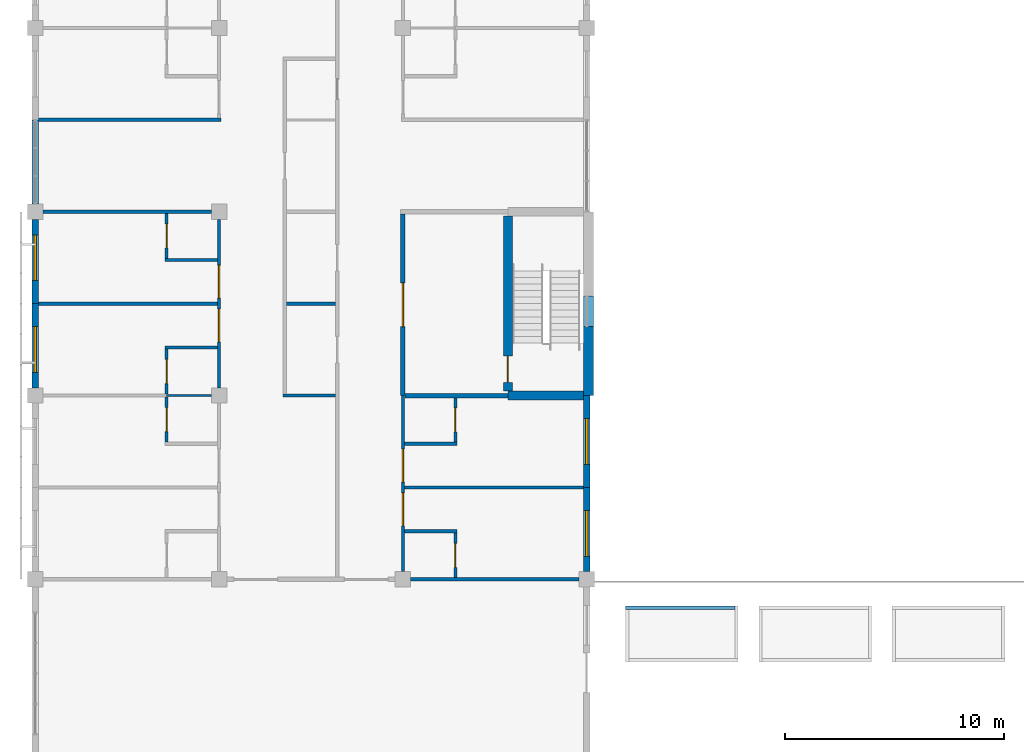
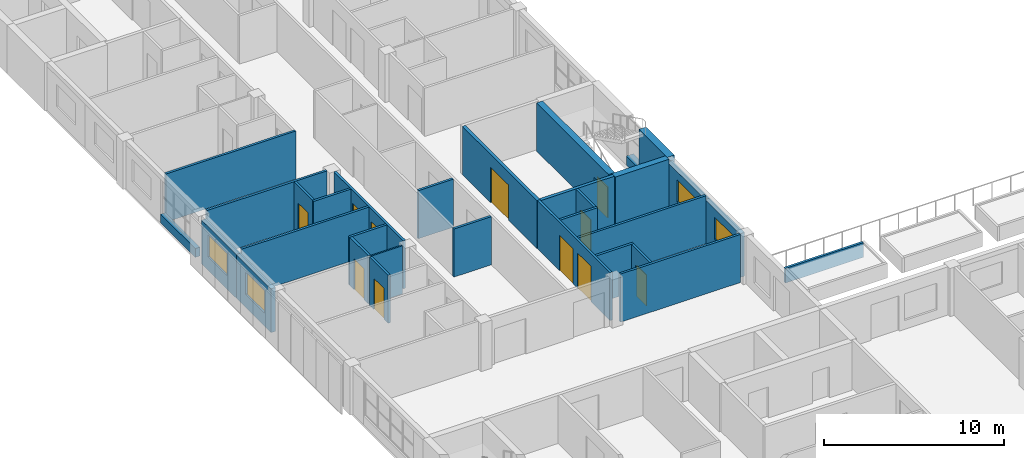
# One storey, part 31 of 61: 31 walls, 11 doors, 4 windows, 15 openings.
"""IFC4 building model written with IfcOpenShell, lengths in metres."""

import ifcopenshell
import ifcopenshell.guid

model = None  # the IFC model being written
_history = None  # IfcOwnerHistory: only IFC2X3 demands one
_inside = {}  # id of a spatial element -> (the spatial element, [elements in it])
_under = {}  # id of a project, library or spatial element -> (it, [spatial elements below it])
_declared = {}  # id of a project -> (the project, [libraries it declares])
_typed = {}  # id of a type object -> (the type object, [elements of that type])
_made_of = {}  # id of a material, layer set ... -> (it, [elements and type objects made of it])


def new_model(schema):
    """Start an empty IFC model of exactly this schema.

    Asked for "IFC4X3", IfcOpenShell would pick the latest addendum, in which some entities
    have other attributes; the version numbers below select the first issue.
    IFC2X3 requires an IfcOwnerHistory on every rooted entity: one is made here for all.
    """
    global model, _history
    if schema == "IFC4X3":
        model = ifcopenshell.file(schema_version=(4, 3, 0, 0))
    else:
        model = ifcopenshell.file(schema=schema)
    _inside.clear()
    _under.clear()
    _declared.clear()
    _typed.clear()
    _made_of.clear()
    _history = None
    if model.schema == "IFC2X3":
        org = make("IfcOrganization", Name="unknown")
        user = make(
            "IfcPersonAndOrganization",
            ThePerson=make("IfcPerson", FamilyName="unknown"),
            TheOrganization=org,
        )
        app = make(
            "IfcApplication",
            ApplicationDeveloper=org,
            Version="unknown",
            ApplicationFullName="unknown",
            ApplicationIdentifier="unknown",
        )
        _history = make(
            "IfcOwnerHistory",
            OwningUser=user,
            OwningApplication=app,
            ChangeAction="ADDED",
            CreationDate=0,
        )
    return model


def make(cls, **values):
    """One entity of the class cls with the attributes given. An attribute that is None is left unset."""
    return model.create_entity(
        cls, **{name: value for name, value in values.items() if value is not None}
    )


def rooted(cls, **values):
    """An entity with a GlobalId (a new one), such as an element, a storey or a relation."""
    return make(cls, GlobalId=ifcopenshell.guid.new(), OwnerHistory=_history, **values)


def si_unit(unit_type, name, prefix=None):
    """IfcSIUnit, for example si_unit("LENGTHUNIT", "METRE", prefix="MILLI")."""
    return make("IfcSIUnit", UnitType=unit_type, Prefix=prefix, Name=name)


def assignment(units):
    """IfcUnitAssignment: the units of a project."""
    return None if units is None else make("IfcUnitAssignment", Units=units)


def point(xyz):
    """IfcCartesianPoint."""
    return None if xyz is None else make("IfcCartesianPoint", Coordinates=xyz)


def direction(xyz):
    """IfcDirection."""
    return None if xyz is None else make("IfcDirection", DirectionRatios=xyz)


def frame(location, z_axis=None, x_axis=None):
    """IfcAxis2Placement3D, a coordinate frame: its origin and axes. An axis left out is left unset."""
    return make(
        "IfcAxis2Placement3D",
        Location=point(location),
        Axis=direction(z_axis),
        RefDirection=direction(x_axis),
    )


def frame_2d(location, x_axis=None):
    """IfcAxis2Placement2D, a coordinate frame in the plane: its origin and x axis."""
    return make(
        "IfcAxis2Placement2D", Location=point(location), RefDirection=direction(x_axis)
    )


def origin():
    """The frame at (0, 0, 0) with its axes left unset."""
    return frame((0.0, 0.0, 0.0))


def place(relative_to, where):
    """IfcLocalPlacement: puts the frame where relative to a parent placement (None: the world)."""
    return make(
        "IfcLocalPlacement", PlacementRelTo=relative_to, RelativePlacement=where
    )


def context(
    kind, dimensions, precision=None, world=None, true_north=None, identifier=None
):
    """IfcGeometricRepresentationContext, for example the 3D "Model" context."""
    return make(
        "IfcGeometricRepresentationContext",
        ContextIdentifier=identifier,
        ContextType=kind,
        CoordinateSpaceDimension=dimensions,
        Precision=precision,
        WorldCoordinateSystem=world,
        TrueNorth=true_north,
    )


def subcontext(parent, identifier, kind, view, scale=None):
    """IfcGeometricRepresentationSubContext, for example "Body" below "Model"."""
    return make(
        "IfcGeometricRepresentationSubContext",
        ContextIdentifier=identifier,
        ContextType=kind,
        ParentContext=parent,
        TargetScale=scale,
        TargetView=view,
    )


def project(units=None, contexts=None):
    """IfcProject with its units and contexts."""
    return rooted(
        "IfcProject",
        Name="project",
        RepresentationContexts=contexts,
        UnitsInContext=assignment(units),
    )


def spatial(cls, under=None, at=None, **own):
    """A site, building, storey or space (cls), placed at a placement, below another one or the project."""
    s = rooted(cls, ObjectPlacement=at, **own)
    if under is not None:
        _under.setdefault(under.id(), (under, []))[1].append(s)
    return s


def profile(cls, at=None, kind="AREA", **sizes):
    """A parametric profile (cls). Its sizes go by their IFC names, for example OverallWidth=200.0."""
    return make(cls, ProfileType=kind, Position=at, **sizes)


def rectangle(**sizes):
    """IfcRectangleProfileDef."""
    return profile("IfcRectangleProfileDef", **sizes)


def extrude(swept, where, along, depth):
    """IfcExtrudedAreaSolid: the profile swept, set in the frame where, extruded along a direction by depth."""
    return make(
        "IfcExtrudedAreaSolid",
        SweptArea=swept,
        Position=where,
        ExtrudedDirection=direction(along),
        Depth=depth,
    )


def shape(context_of_items, identifier, shape_type, items):
    """IfcShapeRepresentation: the items that make up one representation, for example the "Body"."""
    return make(
        "IfcShapeRepresentation",
        ContextOfItems=context_of_items,
        RepresentationIdentifier=identifier,
        RepresentationType=shape_type,
        Items=items,
    )


def material(Name=None, Category=None):
    """IfcMaterial."""
    return make("IfcMaterial", Name=Name, Category=Category)


def layer(
    of_material, thickness, ventilated=None, Name=None, Category=None, Priority=None
):
    """IfcMaterialLayer: one layer of a wall or slab, of a material (None: an air gap)."""
    return make(
        "IfcMaterialLayer",
        Material=of_material,
        LayerThickness=thickness,
        IsVentilated=ventilated,
        Name=Name,
        Category=Category,
        Priority=Priority,
    )


def layer_set(layers, Name=None):
    """IfcMaterialLayerSet."""
    return make("IfcMaterialLayerSet", MaterialLayers=layers, LayerSetName=Name)


def made_of(thing, what):
    """Note that an element or type object is made of a material, layer set ...; save() writes the relation."""
    if what is not None:
        _made_of.setdefault(what.id(), (what, []))[1].append(thing)
    return thing


def type_object(cls, material=None, **own):
    """A type object (cls), such as IfcWallType, which elements share."""
    return made_of(rooted(cls, **own), material)


def element(
    cls,
    number,
    at=None,
    inside=None,
    cuts=None,
    type_object=None,
    material=None,
    context=None,
    identifier="Body",
    shape_type=None,
    held_by="IfcProductDefinitionShape",
    body=None,
    shapes=None,
    **own,
):
    """One element of the class cls, such as IfcWall. Its Tag is "e" and its number.

    at: its placement. inside: the storey or other place that contains it. cuts: it is an
    opening in that element (IfcRelVoidsElement). A single representation is given by context,
    identifier, shape_type and body (its items); several are given by shapes. held_by: the class
    of the entity that holds the representations. save() writes the other relations.
    """
    e = rooted(cls, Tag="e%d" % number, ObjectPlacement=at, **own)
    if body is not None:
        shapes = [shape(context, identifier, shape_type, body)]
    if shapes is not None:
        e.Representation = make(held_by, Representations=shapes)
    if inside is not None:
        _inside.setdefault(inside.id(), (inside, []))[1].append(e)
    if cuts is not None:
        rooted(
            "IfcRelVoidsElement", RelatingBuildingElement=cuts, RelatedOpeningElement=e
        )
    if type_object is not None:
        _typed.setdefault(type_object.id(), (type_object, []))[1].append(e)
    return made_of(e, material)


def fill(opening, filler):
    """IfcRelFillsElement: the door or window that sits in an opening."""
    return rooted(
        "IfcRelFillsElement",
        RelatingOpeningElement=opening,
        RelatedBuildingElement=filler,
    )


def aggregate(whole, parts):
    """IfcRelAggregates: a whole, such as a stair, and the parts it consists of."""
    return rooted("IfcRelAggregates", RelatingObject=whole, RelatedObjects=parts)


def save(model, path):
    """Write the relations noted so far, then the file.

    IfcRelAggregates (storeys below a building ...), IfcRelContainedInSpatialStructure (elements
    in a storey), IfcRelDefinesByType, IfcRelAssociatesMaterial and IfcRelDeclares: one each for
    every whole, place, type object, material and project.
    """
    for whole, parts in _under.values():
        aggregate(whole, parts)
    for where, things in _inside.values():
        rooted(
            "IfcRelContainedInSpatialStructure",
            RelatedElements=things,
            RelatingStructure=where,
        )
    for kind, things in _typed.values():
        rooted("IfcRelDefinesByType", RelatedObjects=things, RelatingType=kind)
    for what, things in _made_of.values():
        rooted("IfcRelAssociatesMaterial", RelatedObjects=things, RelatingMaterial=what)
    for by, libraries in _declared.values():
        rooted("IfcRelDeclares", RelatingContext=by, RelatedDefinitions=libraries)
    model.write(path)


model = new_model("IFC4")

# Units and contexts
model_context = context("Model", 3, precision=1e-05, world=origin(), true_north=direction((0.0, 1.0)))
body_context = subcontext(model_context, "Body", "Model", "MODEL_VIEW")
ifc_project = project(units=[si_unit("LENGTHUNIT", "METRE"), si_unit("AREAUNIT", "SQUARE_METRE"), si_unit("VOLUMEUNIT", "CUBIC_METRE"), si_unit("PLANEANGLEUNIT", "RADIAN"), si_unit("MASSUNIT", "GRAM", prefix="KILO")], contexts=[model_context])

# Site, building, storey
site_placement = place(None, origin())
site = spatial("IfcSite", under=ifc_project, at=site_placement, CompositionType="ELEMENT")
building_placement = place(site_placement, origin())
building = spatial("IfcBuilding", under=site, at=building_placement, Name="Yavir Park General Hospital", CompositionType="ELEMENT")
storey_placement = place(building_placement, frame((0.0, 0.0, 15.300048828125)))
storey = spatial("IfcBuildingStorey", under=building, at=storey_placement, Name="L03", CompositionType="ELEMENT", Elevation=15.300048828125)

# Wall
ifc_material_1 = material(Name="Double gypsum board fire partition on steel studs", Category="steel")
ifc_layer_1 = layer(ifc_material_1, 0.199951171875)
ifc_layer_set_1 = layer_set([ifc_layer_1], Name="Double gypsum board fire partition on steel studs")
wall_type_1 = type_object("IfcWallType", Name="Fire-rated partition 200, EI 60", PredefinedType="PARTITIONING", material=ifc_layer_set_1)
wall_1_placement = place(storey_placement, frame((16.89990234375, 42.0, 0.0), z_axis=(0.0, 0.0, 1.0), x_axis=(1.0, 0.0, 0.0)))
element("IfcWall", 1, at=wall_1_placement, inside=storey, type_object=wall_type_1, Name="FP20 L03-075", PredefinedType="PARTITIONING", context=body_context, shape_type="SweptSolid", body=[
    extrude(rectangle(XDim=4.7001953125, YDim=0.199951171875, at=frame_2d((2.35009765625, 0.0))), origin(), (0.0, 0.0, 1.0), 3.260009765625),
])

# Wall, opening, door
wall_2_placement = place(storey_placement, frame((16.800048828125, 42.0, 0.0), z_axis=(0.0, 0.0, 1.0), x_axis=(0.0, 1.0, 0.0)))
wall_2 = element("IfcWall", 2, at=wall_2_placement, inside=storey, type_object=wall_type_1, Name="FP20 L03-192", PredefinedType="PARTITIONING", context=body_context, shape_type="SweptSolid", body=[
    extrude(rectangle(XDim=8.300048828125, YDim=0.199951171875, at=frame_2d((4.14990234375, 0.0))), origin(), (0.0, 0.0, 1.0), 3.260009765625),
])
opening_1_placement = place(wall_2_placement, frame((3.14990234375, 0.0, 0.0)))
opening_1 = element("IfcOpeningElement", 3, at=opening_1_placement, cuts=wall_2, Name="Opening L03.D133", PredefinedType="OPENING", context=body_context, shape_type="SweptSolid", body=[
    extrude(rectangle(XDim=2.0, YDim=2.39990234375, at=frame_2d((1.0, 1.199951171875))), frame((0.0, 0.10986328125, 0.0), z_axis=(0.0, -1.0, 0.0), x_axis=(1.0, 0.0, 0.0)), (0.0, 0.0, 1.0), 0.219970703125),
])
ifc_material_2 = material(Name="Steel frame, fire-resisting leaves with vision panels", Category="steel")
door_type_1 = type_object("IfcDoorType", Name="Double fire door with vision panels 2000 x 2400, EI 60", OperationType="DOUBLE_DOOR_SINGLE_SWING", PredefinedType="DOOR", material=ifc_material_2)
door_1_placement = place(opening_1_placement, origin())
door_1 = element("IfcDoor", 4, at=door_1_placement, inside=storey, type_object=door_type_1, Name="L03.D133", OperationType="SINGLE_SWING_LEFT", OverallHeight=2.39990234375, OverallWidth=2.0, PredefinedType="DOOR", context=body_context, shape_type="SweptSolid", body=[
    extrude(rectangle(XDim=2.0, YDim=2.39990234375, at=frame_2d((1.0, 1.199951171875))), frame((0.0, 0.030029296875, 0.0), z_axis=(0.0, -1.0, 0.0), x_axis=(1.0, 0.0, 0.0)), (0.0, 0.0, 1.0), 0.06005859375),
])
fill(opening_1, door_1)

# Walls
ifc_material_3 = material(Name="Gypsum board partition on steel studs", Category="steel")
ifc_layer_2 = layer(ifc_material_3, 0.10009765625)
ifc_layer_set_2 = layer_set([ifc_layer_2], Name="Gypsum board partition on steel studs")
wall_type_2 = type_object("IfcWallType", Name="Gypsum board partition 100", PredefinedType="PARTITIONING", material=ifc_layer_set_2)
wall_3_placement = place(storey_placement, frame((6.0, 42.0, 0.0), z_axis=(0.0, 0.0, 1.0), x_axis=(1.0, 0.0, 0.0)))
element("IfcWall", 5, at=wall_3_placement, inside=storey, type_object=wall_type_2, Name="P10 L03-073", PredefinedType="PARTITIONING", context=body_context, shape_type="SweptSolid", body=[
    extrude(rectangle(XDim=2.050048828125, YDim=0.10009765625, at=frame_2d((1.02490234375, 0.0))), origin(), (0.0, 0.0, 1.0), 3.260009765625),
])
ifc_material_4 = material(Name="Gypsum board partition on steel studs", Category="steel")
ifc_layer_3 = layer(ifc_material_4, 0.14990234375)
ifc_layer_set_3 = layer_set([ifc_layer_3], Name="Gypsum board partition on steel studs")
wall_type_3 = type_object("IfcWallType", Name="Gypsum board partition 150", PredefinedType="PARTITIONING", material=ifc_layer_set_3)
wall_4_placement = place(storey_placement, frame((17.14990234375, 33.60009765625, 0.0), z_axis=(0.0, 0.0, 1.0), x_axis=(1.0, 0.0, 0.0)))
element("IfcWall", 6, at=wall_4_placement, inside=storey, type_object=wall_type_3, Name="P15 L03-065", PredefinedType="PARTITIONING", context=body_context, shape_type="SweptSolid", body=[
    extrude(rectangle(XDim=7.7001953125, YDim=0.14990234375, at=frame_2d((3.85009765625, 0.0))), origin(), (0.0, 0.0, 1.0), 3.260009765625),
])
wall_5_placement = place(storey_placement, frame((16.875, 35.800048828125, 0.0), z_axis=(0.0, 0.0, 1.0), x_axis=(1.0, 0.0, 0.0)))
element("IfcWall", 7, at=wall_5_placement, inside=storey, type_object=wall_type_3, Name="P15 L03-067", PredefinedType="PARTITIONING", context=body_context, shape_type="SweptSolid", body=[
    extrude(rectangle(XDim=2.39990234375, YDim=0.14990234375, at=frame_2d((1.199951171875, 0.0))), origin(), (0.0, 0.0, 1.0), 3.260009765625),
])
wall_6_placement = place(storey_placement, frame((16.875, 37.800048828125, 0.0), z_axis=(0.0, 0.0, 1.0), x_axis=(1.0, 0.0, 0.0)))
element("IfcWall", 8, at=wall_6_placement, inside=storey, type_object=wall_type_3, Name="P15 L03-069", PredefinedType="PARTITIONING", context=body_context, shape_type="SweptSolid", body=[
    extrude(rectangle(XDim=8.175048828125, YDim=0.14990234375, at=frame_2d((4.08740234375, 0.0))), origin(), (0.0, 0.0, 1.0), 3.260009765625),
])
wall_7_placement = place(storey_placement, frame((16.875, 39.800048828125, 0.0), z_axis=(0.0, 0.0, 1.0), x_axis=(1.0, 0.0, 0.0)))
element("IfcWall", 9, at=wall_7_placement, inside=storey, type_object=wall_type_3, Name="P15 L03-071", PredefinedType="PARTITIONING", context=body_context, shape_type="SweptSolid", body=[
    extrude(rectangle(XDim=2.39990234375, YDim=0.14990234375, at=frame_2d((1.199951171875, 0.0))), origin(), (0.0, 0.0, 1.0), 3.260009765625),
])
wall_8_placement = place(storey_placement, frame((11.324951171875, 42.0, 0.0), z_axis=(0.0, 0.0, 1.0), x_axis=(1.0, 0.0, 0.0)))
element("IfcWall", 10, at=wall_8_placement, inside=storey, type_object=wall_type_3, Name="P15 L03-074", PredefinedType="PARTITIONING", context=body_context, shape_type="SweptSolid", body=[
    extrude(rectangle(XDim=2.400146484375, YDim=0.14990234375, at=frame_2d((1.2001953125, 0.0))), origin(), (0.0, 0.0, 1.0), 3.260009765625),
])
wall_9_placement = place(storey_placement, frame((5.925048828125, 44.199951171875, 0.0), z_axis=(0.0, 0.0, 1.0), x_axis=(1.0, 0.0, 0.0)))
element("IfcWall", 11, at=wall_9_placement, inside=storey, type_object=wall_type_3, Name="P15 L03-077", PredefinedType="PARTITIONING", context=body_context, shape_type="SweptSolid", body=[
    extrude(rectangle(XDim=2.39990234375, YDim=0.14990234375, at=frame_2d((1.199951171875, 0.0))), origin(), (0.0, 0.0, 1.0), 3.260009765625),
])
wall_10_placement = place(storey_placement, frame((0.14990234375, 46.199951171875, 0.0), z_axis=(0.0, 0.0, 1.0), x_axis=(1.0, 0.0, 0.0)))
element("IfcWall", 12, at=wall_10_placement, inside=storey, type_object=wall_type_3, Name="P15 L03-078", PredefinedType="PARTITIONING", context=body_context, shape_type="SweptSolid", body=[
    extrude(rectangle(XDim=8.175048828125, YDim=0.14990234375, at=frame_2d((4.08740234375, 0.0))), origin(), (0.0, 0.0, 1.0), 3.260009765625),
])
wall_11_placement = place(storey_placement, frame((11.47509765625, 46.199951171875, 0.0), z_axis=(0.0, 0.0, 1.0), x_axis=(1.0, 0.0, 0.0)))
element("IfcWall", 13, at=wall_11_placement, inside=storey, type_object=wall_type_3, Name="P15 L03-079", PredefinedType="PARTITIONING", context=body_context, shape_type="SweptSolid", body=[
    extrude(rectangle(XDim=2.25, YDim=0.14990234375, at=frame_2d((1.125, 0.0))), origin(), (0.0, 0.0, 1.0), 3.260009765625),
])
wall_12_placement = place(storey_placement, frame((5.925048828125, 48.199951171875, 0.0), z_axis=(0.0, 0.0, 1.0), x_axis=(1.0, 0.0, 0.0)))
element("IfcWall", 14, at=wall_12_placement, inside=storey, type_object=wall_type_3, Name="P15 L03-080", PredefinedType="PARTITIONING", context=body_context, shape_type="SweptSolid", body=[
    extrude(rectangle(XDim=2.39990234375, YDim=0.14990234375, at=frame_2d((1.199951171875, 0.0))), origin(), (0.0, 0.0, 1.0), 3.260009765625),
])
wall_13_placement = place(storey_placement, frame((0.35009765625, 50.39990234375, 0.0), z_axis=(0.0, 0.0, 1.0), x_axis=(1.0, 0.0, 0.0)))
element("IfcWall", 15, at=wall_13_placement, inside=storey, type_object=wall_type_3, Name="P15 L03-081", PredefinedType="PARTITIONING", context=body_context, shape_type="SweptSolid", body=[
    extrude(rectangle(XDim=7.699951171875, YDim=0.14990234375, at=frame_2d((3.85009765625, 0.0))), origin(), (0.0, 0.0, 1.0), 3.260009765625),
])
wall_14_placement = place(storey_placement, frame((0.14990234375, 54.60009765625, 0.0), z_axis=(0.0, 0.0, 1.0), x_axis=(1.0, 0.0, 0.0)))
element("IfcWall", 16, at=wall_14_placement, inside=storey, type_object=wall_type_3, Name="P15 L03-085", PredefinedType="PARTITIONING", context=body_context, shape_type="SweptSolid", body=[
    extrude(rectangle(XDim=8.3251953125, YDim=0.14990234375, at=frame_2d((4.16259765625, 0.0))), origin(), (0.0, 0.0, 1.0), 3.260009765625),
])

# Wall, opening, door
wall_15_placement = place(storey_placement, frame((6.0, 39.875, 0.0), z_axis=(0.0, 0.0, 1.0), x_axis=(0.0, 1.0, 0.0)))
wall_15 = element("IfcWall", 17, at=wall_15_placement, inside=storey, type_object=wall_type_3, Name="P15 L03-152", PredefinedType="PARTITIONING", context=body_context, shape_type="SweptSolid", body=[
    extrude(rectangle(XDim=2.050048828125, YDim=0.14990234375, at=frame_2d((1.02490234375, 0.0))), origin(), (0.0, 0.0, 1.0), 3.260009765625),
])
opening_2_placement = place(wall_15_placement, frame((0.47509765625, 0.0, 0.0)))
opening_2 = element("IfcOpeningElement", 18, at=opening_2_placement, cuts=wall_15, Name="Opening L03.D094", PredefinedType="OPENING", context=body_context, shape_type="SweptSolid", body=[
    extrude(rectangle(XDim=1.10009765625, YDim=2.10009765625, at=frame_2d((0.550048828125, 1.050048828125))), frame((0.0, 0.0849609375, 0.0), z_axis=(0.0, -1.0, 0.0), x_axis=(1.0, 0.0, 0.0)), (0.0, 0.0, 1.0), 0.169921875),
])
ifc_material_5 = material(Name="Hollow metal frame, solid-core timber leaf", Category="wood")
door_type_2 = type_object("IfcDoorType", Name="Single swing door 1100 x 2100", OperationType="SINGLE_SWING_LEFT", PredefinedType="DOOR", material=ifc_material_5)
door_2_placement = place(opening_2_placement, origin())
door_2 = element("IfcDoor", 19, at=door_2_placement, inside=storey, type_object=door_type_2, Name="L03.D094", OperationType="SINGLE_SWING_LEFT", OverallHeight=2.10009765625, OverallWidth=1.10009765625, PredefinedType="DOOR", context=body_context, shape_type="SweptSolid", body=[
    extrude(rectangle(XDim=1.10009765625, YDim=2.10009765625, at=frame_2d((0.550048828125, 1.050048828125))), frame((0.0, 0.02490234375, 0.0), z_axis=(0.0, -1.0, 0.0), x_axis=(1.0, 0.0, 0.0)), (0.0, 0.0, 1.0), 0.050048828125),
])
fill(opening_2, door_2)

wall_16_placement = place(storey_placement, frame((6.0, 42.074951171875, 0.0), z_axis=(0.0, 0.0, 1.0), x_axis=(0.0, 1.0, 0.0)))
wall_16 = element("IfcWall", 20, at=wall_16_placement, inside=storey, type_object=wall_type_3, Name="P15 L03-153", PredefinedType="PARTITIONING", context=body_context, shape_type="SweptSolid", body=[
    extrude(rectangle(XDim=2.050048828125, YDim=0.14990234375, at=frame_2d((1.02490234375, 0.0))), origin(), (0.0, 0.0, 1.0), 3.260009765625),
])
opening_3_placement = place(wall_16_placement, frame((0.47509765625, 0.0, 0.0)))
opening_3 = element("IfcOpeningElement", 21, at=opening_3_placement, cuts=wall_16, Name="Opening L03.D095", PredefinedType="OPENING", context=body_context, shape_type="SweptSolid", body=[
    extrude(rectangle(XDim=1.10009765625, YDim=2.10009765625, at=frame_2d((0.550048828125, 1.050048828125))), frame((0.0, 0.0849609375, 0.0), z_axis=(0.0, -1.0, 0.0), x_axis=(1.0, 0.0, 0.0)), (0.0, 0.0, 1.0), 0.169921875),
])
door_3_placement = place(opening_3_placement, origin())
door_3 = element("IfcDoor", 22, at=door_3_placement, inside=storey, type_object=door_type_2, Name="L03.D095", OperationType="SINGLE_SWING_RIGHT", OverallHeight=2.10009765625, OverallWidth=1.10009765625, PredefinedType="DOOR", context=body_context, shape_type="SweptSolid", body=[
    extrude(rectangle(XDim=1.10009765625, YDim=2.10009765625, at=frame_2d((0.550048828125, 1.050048828125))), frame((0.0, 0.02490234375, 0.0), z_axis=(0.0, -1.0, 0.0), x_axis=(1.0, 0.0, 0.0)), (0.0, 0.0, 1.0), 0.050048828125),
])
fill(opening_3, door_3)

wall_17_placement = place(storey_placement, frame((6.0, 48.27490234375, 0.0), z_axis=(0.0, 0.0, 1.0), x_axis=(0.0, 1.0, 0.0)))
wall_17 = element("IfcWall", 23, at=wall_17_placement, inside=storey, type_object=wall_type_3, Name="P15 L03-154", PredefinedType="PARTITIONING", context=body_context, shape_type="SweptSolid", body=[
    extrude(rectangle(XDim=2.050048828125, YDim=0.14990234375, at=frame_2d((1.02490234375, 0.0))), origin(), (0.0, 0.0, 1.0), 3.260009765625),
])
opening_4_placement = place(wall_17_placement, frame((0.47509765625, 0.0, 0.0)))
opening_4 = element("IfcOpeningElement", 24, at=opening_4_placement, cuts=wall_17, Name="Opening L03.D096", PredefinedType="OPENING", context=body_context, shape_type="SweptSolid", body=[
    extrude(rectangle(XDim=1.10009765625, YDim=2.10009765625, at=frame_2d((0.550048828125, 1.050048828125))), frame((0.0, 0.0849609375, 0.0), z_axis=(0.0, -1.0, 0.0), x_axis=(1.0, 0.0, 0.0)), (0.0, 0.0, 1.0), 0.169921875),
])
door_4_placement = place(opening_4_placement, origin())
door_4 = element("IfcDoor", 25, at=door_4_placement, inside=storey, type_object=door_type_2, Name="L03.D096", OperationType="SINGLE_SWING_LEFT", OverallHeight=2.10009765625, OverallWidth=1.10009765625, PredefinedType="DOOR", context=body_context, shape_type="SweptSolid", body=[
    extrude(rectangle(XDim=1.10009765625, YDim=2.10009765625, at=frame_2d((0.550048828125, 1.050048828125))), frame((0.0, 0.02490234375, 0.0), z_axis=(0.0, -1.0, 0.0), x_axis=(1.0, 0.0, 0.0)), (0.0, 0.0, 1.0), 0.050048828125),
])
fill(opening_4, door_4)

# Wall, openings, doors
wall_18_placement = place(storey_placement, frame((8.39990234375, 42.35009765625, 0.0), z_axis=(0.0, 0.0, 1.0), x_axis=(0.0, 1.0, 0.0)))
wall_18 = element("IfcWall", 26, at=wall_18_placement, inside=storey, type_object=wall_type_3, Name="P15 L03-169", PredefinedType="PARTITIONING", context=body_context, shape_type="SweptSolid", body=[
    extrude(rectangle(XDim=7.699951171875, YDim=0.14990234375, at=frame_2d((3.85009765625, 0.0))), origin(), (0.0, 0.0, 1.0), 3.260009765625),
])
opening_5_placement = place(wall_18_placement, frame((2.10009765625, 0.0, 0.0)))
opening_5 = element("IfcOpeningElement", 27, at=opening_5_placement, cuts=wall_18, Name="Opening L03.D107", PredefinedType="OPENING", context=body_context, shape_type="SweptSolid", body=[
    extrude(rectangle(XDim=1.5, YDim=2.39990234375, at=frame_2d((0.75, 1.199951171875))), frame((0.0, 0.0849609375, 0.0), z_axis=(0.0, -1.0, 0.0), x_axis=(1.0, 0.0, 0.0)), (0.0, 0.0, 1.0), 0.169921875),
])
opening_6_placement = place(wall_18_placement, frame((4.10009765625, 0.0, 0.0)))
opening_6 = element("IfcOpeningElement", 28, at=opening_6_placement, cuts=wall_18, Name="Opening L03.D108", PredefinedType="OPENING", context=body_context, shape_type="SweptSolid", body=[
    extrude(rectangle(XDim=1.5, YDim=2.39990234375, at=frame_2d((0.75, 1.199951171875))), frame((0.0, 0.0849609375, 0.0), z_axis=(0.0, -1.0, 0.0), x_axis=(1.0, 0.0, 0.0)), (0.0, 0.0, 1.0), 0.169921875),
])
ifc_material_6 = material(Name="Solid-core timber leaves, push plates, kick plates", Category="wood")
door_type_3 = type_object("IfcDoorType", Name="Bed door, unequal leaves 1500 x 2400", OperationType="DOUBLE_DOOR_SINGLE_SWING", PredefinedType="DOOR", material=ifc_material_6)
door_5_placement = place(opening_5_placement, origin())
door_5 = element("IfcDoor", 29, at=door_5_placement, inside=storey, type_object=door_type_3, Name="L03.D107", OperationType="SINGLE_SWING_RIGHT", OverallHeight=2.39990234375, OverallWidth=1.5, PredefinedType="DOOR", context=body_context, shape_type="SweptSolid", body=[
    extrude(rectangle(XDim=1.5, YDim=2.39990234375, at=frame_2d((0.75, 1.199951171875))), frame((0.0, 0.030029296875, 0.0), z_axis=(0.0, -1.0, 0.0), x_axis=(1.0, 0.0, 0.0)), (0.0, 0.0, 1.0), 0.06005859375),
])
fill(opening_5, door_5)
door_6_placement = place(opening_6_placement, origin())
door_6 = element("IfcDoor", 30, at=door_6_placement, inside=storey, type_object=door_type_3, Name="L03.D108", OperationType="SINGLE_SWING_RIGHT", OverallHeight=2.39990234375, OverallWidth=1.5, PredefinedType="DOOR", context=body_context, shape_type="SweptSolid", body=[
    extrude(rectangle(XDim=1.5, YDim=2.39990234375, at=frame_2d((0.75, 1.199951171875))), frame((0.0, 0.030029296875, 0.0), z_axis=(0.0, -1.0, 0.0), x_axis=(1.0, 0.0, 0.0)), (0.0, 0.0, 1.0), 0.06005859375),
])
fill(opening_6, door_6)

wall_19_placement = place(storey_placement, frame((16.800048828125, 33.949951171875, 0.0), z_axis=(0.0, 0.0, 1.0), x_axis=(0.0, 1.0, 0.0)))
wall_19 = element("IfcWall", 31, at=wall_19_placement, inside=storey, type_object=wall_type_3, Name="P15 L03-191", PredefinedType="PARTITIONING", context=body_context, shape_type="SweptSolid", body=[
    extrude(rectangle(XDim=8.050048828125, YDim=0.14990234375, at=frame_2d((4.02490234375, 0.0))), origin(), (0.0, 0.0, 1.0), 3.260009765625),
])
opening_7_placement = place(wall_19_placement, frame((2.10009765625, 0.0, 0.0)))
opening_7 = element("IfcOpeningElement", 32, at=opening_7_placement, cuts=wall_19, Name="Opening L03.D131", PredefinedType="OPENING", context=body_context, shape_type="SweptSolid", body=[
    extrude(rectangle(XDim=1.5, YDim=2.39990234375, at=frame_2d((0.75, 1.199951171875))), frame((0.0, 0.0849609375, 0.0), z_axis=(0.0, -1.0, 0.0), x_axis=(1.0, 0.0, 0.0)), (0.0, 0.0, 1.0), 0.169921875),
])
opening_8_placement = place(wall_19_placement, frame((4.10009765625, 0.0, 0.0)))
opening_8 = element("IfcOpeningElement", 33, at=opening_8_placement, cuts=wall_19, Name="Opening L03.D132", PredefinedType="OPENING", context=body_context, shape_type="SweptSolid", body=[
    extrude(rectangle(XDim=1.5, YDim=2.39990234375, at=frame_2d((0.75, 1.199951171875))), frame((0.0, 0.0849609375, 0.0), z_axis=(0.0, -1.0, 0.0), x_axis=(1.0, 0.0, 0.0)), (0.0, 0.0, 1.0), 0.169921875),
])
door_7_placement = place(opening_7_placement, origin())
door_7 = element("IfcDoor", 34, at=door_7_placement, inside=storey, type_object=door_type_3, Name="L03.D131", OperationType="SINGLE_SWING_LEFT", OverallHeight=2.39990234375, OverallWidth=1.5, PredefinedType="DOOR", context=body_context, shape_type="SweptSolid", body=[
    extrude(rectangle(XDim=1.5, YDim=2.39990234375, at=frame_2d((0.75, 1.199951171875))), frame((0.0, 0.030029296875, 0.0), z_axis=(0.0, -1.0, 0.0), x_axis=(1.0, 0.0, 0.0)), (0.0, 0.0, 1.0), 0.06005859375),
])
fill(opening_7, door_7)
door_8_placement = place(opening_8_placement, origin())
door_8 = element("IfcDoor", 35, at=door_8_placement, inside=storey, type_object=door_type_3, Name="L03.D132", OperationType="SINGLE_SWING_LEFT", OverallHeight=2.39990234375, OverallWidth=1.5, PredefinedType="DOOR", context=body_context, shape_type="SweptSolid", body=[
    extrude(rectangle(XDim=1.5, YDim=2.39990234375, at=frame_2d((0.75, 1.199951171875))), frame((0.0, 0.030029296875, 0.0), z_axis=(0.0, -1.0, 0.0), x_axis=(1.0, 0.0, 0.0)), (0.0, 0.0, 1.0), 0.06005859375),
])
fill(opening_8, door_8)

# Wall, opening, door
wall_20_placement = place(storey_placement, frame((19.199951171875, 33.675048828125, 0.0), z_axis=(0.0, 0.0, 1.0), x_axis=(0.0, 1.0, 0.0)))
wall_20 = element("IfcWall", 36, at=wall_20_placement, inside=storey, type_object=wall_type_3, Name="P15 L03-200", PredefinedType="PARTITIONING", context=body_context, shape_type="SweptSolid", body=[
    extrude(rectangle(XDim=2.050048828125, YDim=0.14990234375, at=frame_2d((1.02490234375, 0.0))), origin(), (0.0, 0.0, 1.0), 3.260009765625),
])
opening_9_placement = place(wall_20_placement, frame((0.47509765625, 0.0, 0.0)))
opening_9 = element("IfcOpeningElement", 37, at=opening_9_placement, cuts=wall_20, Name="Opening L03.D143", PredefinedType="OPENING", context=body_context, shape_type="SweptSolid", body=[
    extrude(rectangle(XDim=1.10009765625, YDim=2.10009765625, at=frame_2d((0.550048828125, 1.050048828125))), frame((0.0, 0.0849609375, 0.0), z_axis=(0.0, -1.0, 0.0), x_axis=(1.0, 0.0, 0.0)), (0.0, 0.0, 1.0), 0.169921875),
])
door_9_placement = place(opening_9_placement, origin())
door_9 = element("IfcDoor", 38, at=door_9_placement, inside=storey, type_object=door_type_2, Name="L03.D143", OperationType="SINGLE_SWING_LEFT", OverallHeight=2.10009765625, OverallWidth=1.10009765625, PredefinedType="DOOR", context=body_context, shape_type="SweptSolid", body=[
    extrude(rectangle(XDim=1.10009765625, YDim=2.10009765625, at=frame_2d((0.550048828125, 1.050048828125))), frame((0.0, 0.02490234375, 0.0), z_axis=(0.0, -1.0, 0.0), x_axis=(1.0, 0.0, 0.0)), (0.0, 0.0, 1.0), 0.050048828125),
])
fill(opening_9, door_9)

wall_21_placement = place(storey_placement, frame((19.199951171875, 39.875, 0.0), z_axis=(0.0, 0.0, 1.0), x_axis=(0.0, 1.0, 0.0)))
wall_21 = element("IfcWall", 39, at=wall_21_placement, inside=storey, type_object=wall_type_3, Name="P15 L03-201", PredefinedType="PARTITIONING", context=body_context, shape_type="SweptSolid", body=[
    extrude(rectangle(XDim=2.02490234375, YDim=0.14990234375, at=frame_2d((1.012451171875, 0.0))), origin(), (0.0, 0.0, 1.0), 3.260009765625),
])
opening_10_placement = place(wall_21_placement, frame((0.46240234375, 0.0, 0.0)))
opening_10 = element("IfcOpeningElement", 40, at=opening_10_placement, cuts=wall_21, Name="Opening L03.D144", PredefinedType="OPENING", context=body_context, shape_type="SweptSolid", body=[
    extrude(rectangle(XDim=1.10009765625, YDim=2.10009765625, at=frame_2d((0.550048828125, 1.050048828125))), frame((0.0, 0.0849609375, 0.0), z_axis=(0.0, -1.0, 0.0), x_axis=(1.0, 0.0, 0.0)), (0.0, 0.0, 1.0), 0.169921875),
])
door_10_placement = place(opening_10_placement, origin())
door_10 = element("IfcDoor", 41, at=door_10_placement, inside=storey, type_object=door_type_2, Name="L03.D144", OperationType="SINGLE_SWING_RIGHT", OverallHeight=2.10009765625, OverallWidth=1.10009765625, PredefinedType="DOOR", context=body_context, shape_type="SweptSolid", body=[
    extrude(rectangle(XDim=1.10009765625, YDim=2.10009765625, at=frame_2d((0.550048828125, 1.050048828125))), frame((0.0, 0.02490234375, 0.0), z_axis=(0.0, -1.0, 0.0), x_axis=(1.0, 0.0, 0.0)), (0.0, 0.0, 1.0), 0.050048828125),
])
fill(opening_10, door_10)

# Wall, opening, window
ifc_material_7 = material(Name="Autoclaved aerated block, mineral wool and ochre mineral render")
ifc_layer_4 = layer(ifc_material_7, 0.300048828125)
ifc_layer_set_4 = layer_set([ifc_layer_4], Name="Autoclaved aerated block, mineral wool and ochre mineral render")
wall_type_4 = type_object("IfcWallType", Name="Ochre render ward wall 300, E 30", PredefinedType="SOLIDWALL", material=ifc_layer_set_4)
wall_22_placement = place(storey_placement, frame((0.0, 42.35009765625, 0.0), z_axis=(0.0, 0.0, 1.0), x_axis=(0.0, 1.0, 0.0)))
wall_22 = element("IfcWall", 42, at=wall_22_placement, inside=storey, type_object=wall_type_4, Name="XW7 L03-105", PredefinedType="SOLIDWALL", context=body_context, shape_type="SweptSolid", body=[
    extrude(rectangle(XDim=3.849853515625, YDim=0.300048828125, at=frame_2d((1.9248046875, 0.0))), origin(), (0.0, 0.0, 1.0), 2.9599609375),
])
opening_11_placement = place(wall_22_placement, frame((0.699951171875, 0.0, 0.89990234375)))
opening_11 = element("IfcOpeningElement", 43, at=opening_11_placement, cuts=wall_22, Name="Opening WAR", PredefinedType="OPENING", context=body_context, shape_type="SweptSolid", body=[
    extrude(rectangle(XDim=2.10009765625, YDim=1.5, at=frame_2d((1.050048828125, 0.75))), frame((0.0, 0.159912109375, 0.0), z_axis=(0.0, -1.0, 0.0), x_axis=(1.0, 0.0, 0.0)), (0.0, 0.0, 1.0), 0.320068359375),
])
ifc_material_8 = material(Name="Aluminium frame, tilt-and-turn sash with opening restrictor, double glazed unit", Category="aluminium")
window_type = type_object("IfcWindowType", Name="Ward window, restricted opening 2100 x 1500", PartitioningType="DOUBLE_PANEL_VERTICAL", PredefinedType="WINDOW", material=ifc_material_8)
window_1_placement = place(opening_11_placement, origin())
window_1 = element("IfcWindow", 44, at=window_1_placement, inside=storey, type_object=window_type, Name="WAR L03-050", OverallHeight=1.5, OverallWidth=2.10009765625, PartitioningType="DOUBLE_PANEL_VERTICAL", PredefinedType="WINDOW", context=body_context, shape_type="SweptSolid", body=[
    extrude(rectangle(XDim=2.10009765625, YDim=1.5, at=frame_2d((1.050048828125, 0.75))), frame((0.0, 0.050048828125, 0.0), z_axis=(0.0, -1.0, 0.0), x_axis=(1.0, 0.0, 0.0)), (0.0, 0.0, 1.0), 0.10009765625),
])
fill(opening_11, window_1)

wall_23_placement = place(storey_placement, frame((0.0, 46.199951171875, 0.0), z_axis=(0.0, 0.0, 1.0), x_axis=(0.0, 1.0, 0.0)))
wall_23 = element("IfcWall", 45, at=wall_23_placement, inside=storey, type_object=wall_type_4, Name="XW7 L03-106", PredefinedType="SOLIDWALL", context=body_context, shape_type="SweptSolid", body=[
    extrude(rectangle(XDim=3.85009765625, YDim=0.300048828125, at=frame_2d((1.925048828125, 0.0))), origin(), (0.0, 0.0, 1.0), 2.9599609375),
])
opening_12_placement = place(wall_23_placement, frame((1.050048828125, 0.0, 0.89990234375)))
opening_12 = element("IfcOpeningElement", 46, at=opening_12_placement, cuts=wall_23, Name="Opening WAR", PredefinedType="OPENING", context=body_context, shape_type="SweptSolid", body=[
    extrude(rectangle(XDim=2.10009765625, YDim=1.5, at=frame_2d((1.050048828125, 0.75))), frame((0.0, 0.159912109375, 0.0), z_axis=(0.0, -1.0, 0.0), x_axis=(1.0, 0.0, 0.0)), (0.0, 0.0, 1.0), 0.320068359375),
])
window_2_placement = place(opening_12_placement, origin())
window_2 = element("IfcWindow", 47, at=window_2_placement, inside=storey, type_object=window_type, Name="WAR L03-051", OverallHeight=1.5, OverallWidth=2.10009765625, PartitioningType="DOUBLE_PANEL_VERTICAL", PredefinedType="WINDOW", context=body_context, shape_type="SweptSolid", body=[
    extrude(rectangle(XDim=2.10009765625, YDim=1.5, at=frame_2d((1.050048828125, 0.75))), frame((0.0, 0.050048828125, 0.0), z_axis=(0.0, -1.0, 0.0), x_axis=(1.0, 0.0, 0.0)), (0.0, 0.0, 1.0), 0.10009765625),
])
fill(opening_12, window_2)

# Wall
wall_24_placement = place(storey_placement, frame((0.0, 50.75, 0.0), z_axis=(0.0, 0.0, 1.0), x_axis=(0.0, 1.0, 0.0)))
element("IfcWall", 48, at=wall_24_placement, inside=storey, type_object=wall_type_4, Name="XW7 L03-107", PredefinedType="SOLIDWALL", context=body_context, shape_type="SweptSolid", body=[
    extrude(rectangle(XDim=3.85009765625, YDim=0.300048828125, at=frame_2d((1.925048828125, 0.0))), origin(), (0.0, 0.0, 1.0), 0.599853515625),
])

# Wall, opening, window
wall_25_placement = place(storey_placement, frame((25.199951171875, 33.949951171875, 0.0), z_axis=(0.0, 0.0, 1.0), x_axis=(0.0, 1.0, 0.0)))
wall_25 = element("IfcWall", 49, at=wall_25_placement, inside=storey, type_object=wall_type_4, Name="XW7 L03-125", PredefinedType="SOLIDWALL", context=body_context, shape_type="SweptSolid", body=[
    extrude(rectangle(XDim=3.85009765625, YDim=0.300048828125, at=frame_2d((1.925048828125, 0.0))), origin(), (0.0, 0.0, 1.0), 2.9599609375),
])
opening_13_placement = place(wall_25_placement, frame((0.699951171875, 0.0, 0.89990234375)))
opening_13 = element("IfcOpeningElement", 50, at=opening_13_placement, cuts=wall_25, Name="Opening WAR", PredefinedType="OPENING", context=body_context, shape_type="SweptSolid", body=[
    extrude(rectangle(XDim=2.10009765625, YDim=1.5, at=frame_2d((1.050048828125, 0.75))), frame((0.0, 0.159912109375, 0.0), z_axis=(0.0, -1.0, 0.0), x_axis=(1.0, 0.0, 0.0)), (0.0, 0.0, 1.0), 0.320068359375),
])
window_3_placement = place(opening_13_placement, origin())
window_3 = element("IfcWindow", 51, at=window_3_placement, inside=storey, type_object=window_type, Name="WAR L03-062", OverallHeight=1.5, OverallWidth=2.10009765625, PartitioningType="DOUBLE_PANEL_VERTICAL", PredefinedType="WINDOW", context=body_context, shape_type="SweptSolid", body=[
    extrude(rectangle(XDim=2.10009765625, YDim=1.5, at=frame_2d((1.050048828125, 0.75))), frame((0.0, 0.050048828125, 0.0), z_axis=(0.0, -1.0, 0.0), x_axis=(1.0, 0.0, 0.0)), (0.0, 0.0, 1.0), 0.10009765625),
])
fill(opening_13, window_3)

wall_26_placement = place(storey_placement, frame((25.199951171875, 37.800048828125, 0.0), z_axis=(0.0, 0.0, 1.0), x_axis=(0.0, 1.0, 0.0)))
wall_26 = element("IfcWall", 52, at=wall_26_placement, inside=storey, type_object=wall_type_4, Name="XW7 L03-126", PredefinedType="SOLIDWALL", context=body_context, shape_type="SweptSolid", body=[
    extrude(rectangle(XDim=4.199951171875, YDim=0.300048828125, at=frame_2d((2.10009765625, 0.0))), origin(), (0.0, 0.0, 1.0), 2.9599609375),
])
opening_14_placement = place(wall_26_placement, frame((1.050048828125, 0.0, 0.89990234375)))
opening_14 = element("IfcOpeningElement", 53, at=opening_14_placement, cuts=wall_26, Name="Opening WAR", PredefinedType="OPENING", context=body_context, shape_type="SweptSolid", body=[
    extrude(rectangle(XDim=2.10009765625, YDim=1.5, at=frame_2d((1.050048828125, 0.75))), frame((0.0, 0.159912109375, 0.0), z_axis=(0.0, -1.0, 0.0), x_axis=(1.0, 0.0, 0.0)), (0.0, 0.0, 1.0), 0.320068359375),
])
window_4_placement = place(opening_14_placement, origin())
window_4 = element("IfcWindow", 54, at=window_4_placement, inside=storey, type_object=window_type, Name="WAR L03-063", OverallHeight=1.5, OverallWidth=2.10009765625, PartitioningType="DOUBLE_PANEL_VERTICAL", PredefinedType="WINDOW", context=body_context, shape_type="SweptSolid", body=[
    extrude(rectangle(XDim=2.10009765625, YDim=1.5, at=frame_2d((1.050048828125, 0.75))), frame((0.0, 0.050048828125, 0.0), z_axis=(0.0, -1.0, 0.0), x_axis=(1.0, 0.0, 0.0)), (0.0, 0.0, 1.0), 0.10009765625),
])
fill(opening_14, window_4)

# Walls
ifc_material_9 = material(Name="Concrete C30/37", Category="concrete")
ifc_layer_5 = layer(ifc_material_9, 0.14990234375)
ifc_layer_set_5 = layer_set([ifc_layer_5], Name="Concrete C30/37")
wall_type_5 = type_object("IfcWallType", Name="Planter upstand 150 x 1000", PredefinedType="STANDARD", material=ifc_layer_set_5)
wall_27_placement = place(storey_placement, frame((31.972900390625, 32.300048828125, 0.0), z_axis=(0.0, 0.0, 1.0), x_axis=(-1.0, 0.0, 0.0)))
element("IfcWall", 55, at=wall_27_placement, inside=storey, type_object=wall_type_5, Name="Planter upstand 1.3", PredefinedType="STANDARD", context=body_context, shape_type="SweptSolid", body=[
    extrude(rectangle(XDim=5.0, YDim=0.14990234375, at=frame_2d((2.5, 0.0))), origin(), (0.0, 0.0, 1.0), 1.0),
])
ifc_material_10 = material(Name="Concrete C35/45", Category="concrete")
ifc_layer_6 = layer(ifc_material_10, 0.39990234375)
ifc_layer_set_6 = layer_set([ifc_layer_6], Name="Concrete C35/45")
wall_type_6 = type_object("IfcWallType", Name="Reinforced concrete core wall 400, REI 150", PredefinedType="SHEAR", material=ifc_layer_set_6)
wall_28_placement = place(storey_placement, frame((21.60009765625, 42.0, 0.0), z_axis=(0.0, 0.0, 1.0), x_axis=(1.0, 0.0, 0.0)))
element("IfcWall", 56, at=wall_28_placement, inside=storey, type_object=wall_type_6, Name="CW40 L03-076", PredefinedType="SHEAR", context=body_context, shape_type="SweptSolid", body=[
    extrude(rectangle(XDim=3.449951171875, YDim=0.39990234375, at=frame_2d((1.72509765625, 0.0))), origin(), (0.0, 0.0, 1.0), 3.260009765625),
])

# Wall, opening, door
wall_29_placement = place(storey_placement, frame((21.60009765625, 42.199951171875, 0.0), z_axis=(0.0, 0.0, 1.0), x_axis=(0.0, 1.0, 0.0)))
wall_29 = element("IfcWall", 57, at=wall_29_placement, inside=storey, type_object=wall_type_6, Name="CW40 L03-212", PredefinedType="SHEAR", context=body_context, shape_type="SweptSolid", body=[
    extrude(rectangle(XDim=8.0, YDim=0.39990234375, at=frame_2d((4.0, 0.0))), origin(), (0.0, 0.0, 1.0), 3.260009765625),
])
opening_15_placement = place(wall_29_placement, frame((0.39990234375, 0.0, 0.0)))
opening_15 = element("IfcOpeningElement", 58, at=opening_15_placement, cuts=wall_29, Name="Opening L03.D150", PredefinedType="OPENING", context=body_context, shape_type="SweptSolid", body=[
    extrude(rectangle(XDim=1.199951171875, YDim=2.10009765625, at=frame_2d((0.60009765625, 1.050048828125))), frame((0.0, 0.2099609375, 0.0), z_axis=(0.0, -1.0, 0.0), x_axis=(1.0, 0.0, 0.0)), (0.0, 0.0, 1.0), 0.419921875),
])
ifc_material_11 = material(Name="Steel frame, fire-resisting timber leaf", Category="steel")
door_type_4 = type_object("IfcDoorType", Name="Fire door 1200 x 2100, EI 60", OperationType="SINGLE_SWING_LEFT", PredefinedType="DOOR", material=ifc_material_11)
door_11_placement = place(opening_15_placement, origin())
door_11 = element("IfcDoor", 59, at=door_11_placement, inside=storey, type_object=door_type_4, Name="L03.D150", OperationType="SINGLE_SWING_LEFT", OverallHeight=2.10009765625, OverallWidth=1.199951171875, PredefinedType="DOOR", context=body_context, shape_type="SweptSolid", body=[
    extrude(rectangle(XDim=1.199951171875, YDim=2.10009765625, at=frame_2d((0.60009765625, 1.050048828125))), frame((0.0, 0.02490234375, 0.0), z_axis=(0.0, -1.0, 0.0), x_axis=(1.0, 0.0, 0.0)), (0.0, 0.0, 1.0), 0.050048828125),
])
fill(opening_15, door_11)

# Walls
ifc_material_12 = material(Name="Concrete C30/37 precast panel with 150 mm mineral wool insulation", Category="concrete")
ifc_layer_7 = layer(ifc_material_12, 0.449951171875)
ifc_layer_set_7 = layer_set([ifc_layer_7], Name="Concrete C30/37 precast panel with 150 mm mineral wool insulation")
wall_type_7 = type_object("IfcWallType", Name="Stair enclosure wall 450, REI 150", PredefinedType="SOLIDWALL", material=ifc_layer_set_7)
wall_30_placement = place(storey_placement, frame((25.27490234375, 42.0, 0.0), z_axis=(0.0, 0.0, 1.0), x_axis=(0.0, 1.0, 0.0)))
element("IfcWall", 60, at=wall_30_placement, inside=storey, type_object=wall_type_7, Name="XW6 L03-127", PredefinedType="SOLIDWALL", context=body_context, shape_type="SweptSolid", body=[
    extrude(rectangle(XDim=3.14990234375, YDim=0.449951171875, at=frame_2d((1.574951171875, 0.0))), origin(), (0.0, 0.0, 1.0), 3.260009765625),
])
wall_31_placement = place(storey_placement, frame((25.27490234375, 45.14990234375, 0.0), z_axis=(0.0, 0.0, 1.0), x_axis=(0.0, 1.0, 0.0)))
element("IfcWall", 61, at=wall_31_placement, inside=storey, type_object=wall_type_7, Name="XW6 L03-129", PredefinedType="SOLIDWALL", context=body_context, shape_type="SweptSolid", body=[
    extrude(rectangle(XDim=1.400146484375, YDim=0.449951171875, at=frame_2d((0.7001953125, 0.0))), origin(), (0.0, 0.0, 1.0), 0.599853515625),
])

save(model, "model.ifc")
